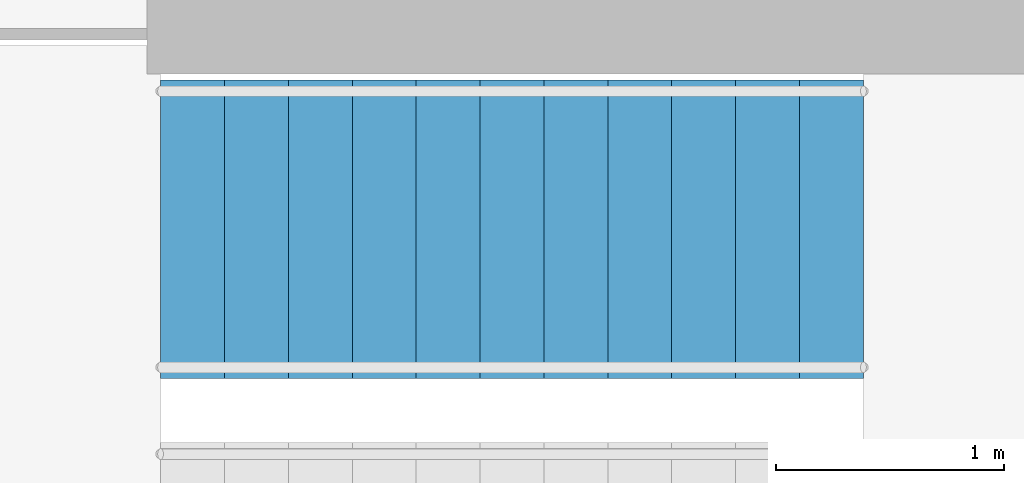
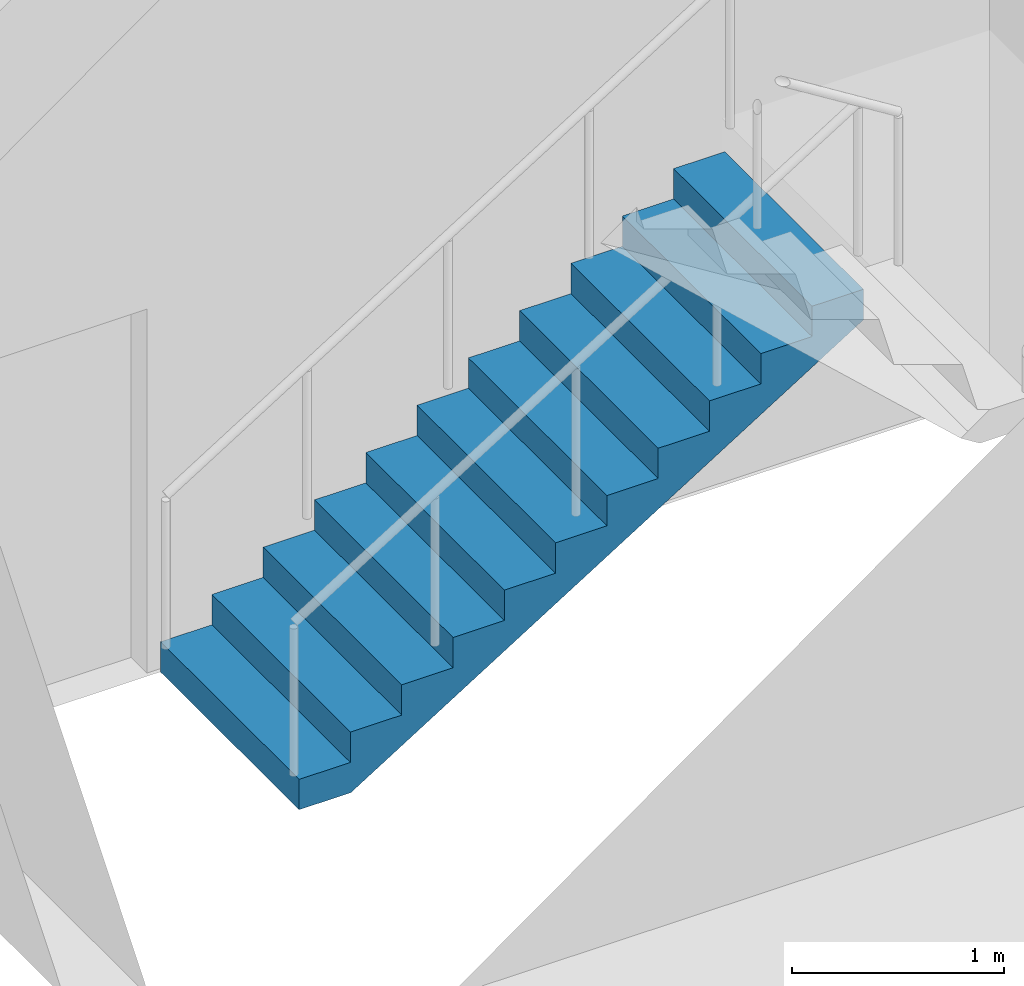
# One storey, part 12 of 15: 1 stair flight, 1 element without a shape of its own.
"""IFC4 building model written with IfcOpenShell, lengths in metres."""

from ifc_helpers import new_model, si_unit, direction, frame, origin, place, context, subcontext, project, spatial, polyline, outline, extrude, material, type_object, element, aggregate, save


model = new_model("IFC4")

# Units and contexts
model_context = context("Model", 3, precision=1e-05, world=origin(), true_north=direction((0.0, 1.0)))
body_context = subcontext(model_context, "Body", "Model", "MODEL_VIEW")
ifc_project = project(units=[si_unit("LENGTHUNIT", "METRE"), si_unit("AREAUNIT", "SQUARE_METRE"), si_unit("VOLUMEUNIT", "CUBIC_METRE"), si_unit("PLANEANGLEUNIT", "RADIAN"), si_unit("MASSUNIT", "GRAM", prefix="KILO")], contexts=[model_context])

# Site, building, storey
site_placement = place(None, origin())
site = spatial("IfcSite", under=ifc_project, at=site_placement, CompositionType="ELEMENT")
building_placement = place(site_placement, origin())
building = spatial("IfcBuilding", under=site, at=building_placement, Name="Qaws Media Tower", CompositionType="ELEMENT")
storey_placement = place(building_placement, frame((0.0, 0.0, 231.800048828125)))
storey = spatial("IfcBuildingStorey", under=building, at=storey_placement, Name="L53", CompositionType="ELEMENT", Elevation=231.800048828125)

# Stair, stair flight
ifc_material_1 = material(Name="Concrete C40/50", Category="concrete")
stair_type = type_object("IfcStairType", Name="Exit stair", PredefinedType="HALF_TURN_STAIR", material=ifc_material_1)
stair_placement = place(storey_placement, origin())
stair = element("IfcStair", 1, at=stair_placement, inside=storey, type_object=stair_type, Name="S2 exit stair L53", PredefinedType="HALF_TURN_STAIR")
ifc_material_2 = material(Name="Concrete C40/50", Category="concrete")
stair_flight_type = type_object("IfcStairFlightType", Name="Stair flight 1310", PredefinedType="STRAIGHT", material=ifc_material_2)
stair_flight_placement = place(storey_placement, frame((66.159912109375, 47.64501953125, 0.0), z_axis=(0.0, 0.0, 1.0), x_axis=(1.0, 0.0, 0.0)))
stair_flight = element("IfcStairFlight", 2, at=stair_flight_placement, type_object=stair_flight_type, Name="S2 flight 1", NumberOfRisers=12, NumberOfTreads=11, PredefinedType="STRAIGHT", RiserHeight=0.175, TreadLength=0.28, context=body_context, shape_type="SweptSolid", body=[
    extrude(outline(polyline([(0.0, 0.0), (0.0, 0.175048828125), (0.280029296875, 0.175048828125), (0.280029296875, 0.35009765625), (0.56005859375, 0.35009765625), (0.56005859375, 0.52490234375), (0.840087890625, 0.52490234375), (0.840087890625, 0.699951171875), (1.1201171875, 0.699951171875), (1.1201171875, 0.875), (1.39990234375, 0.875), (1.39990234375, 1.050048828125), (1.679931640625, 1.050048828125), (1.679931640625, 1.22509765625), (1.9599609375, 1.22509765625), (1.9599609375, 1.39990234375), (2.239990234375, 1.39990234375), (2.239990234375, 1.574951171875), (2.52001953125, 1.574951171875), (2.52001953125, 1.75), (2.800048828125, 1.75), (2.800048828125, 1.925048828125), (3.080078125, 1.925048828125), (3.080078125, 2.10009765625), (3.080078125, 1.748291015625), (0.28271484375, 0.0), (0.0, 0.0)])), frame((0.0, 0.655029296875, 0.0), z_axis=(0.0, -1.0, 0.0), x_axis=(1.0, 0.0, 0.0)), (0.0, 0.0, 1.0), 1.31005859375),
])
aggregate(stair, [stair_flight])

save(model, "model.ifc")
